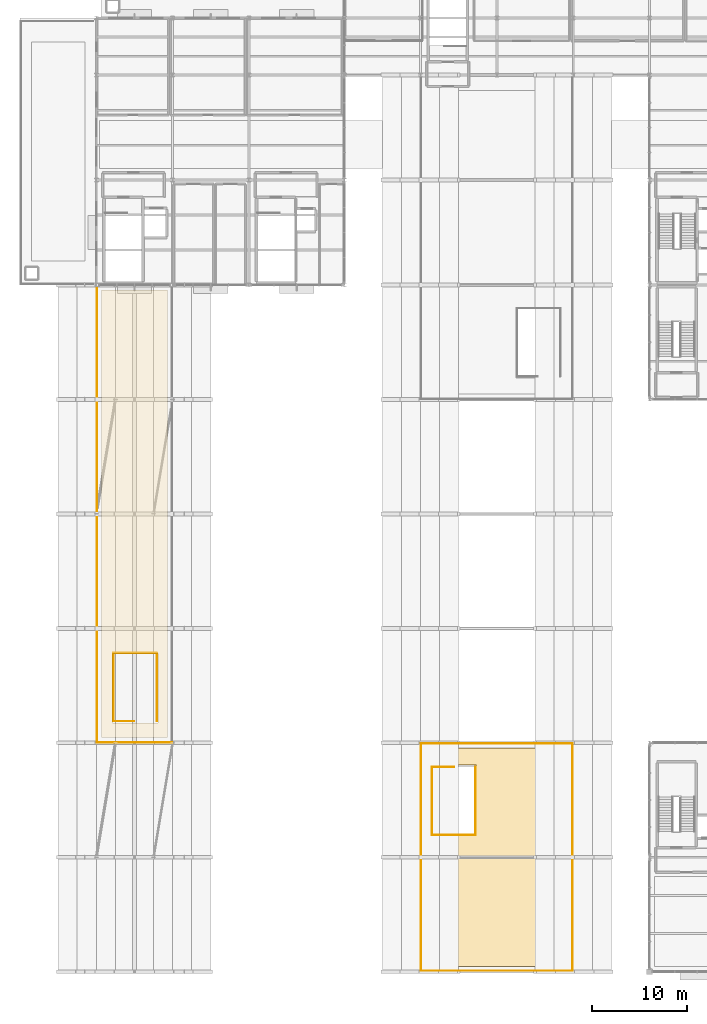
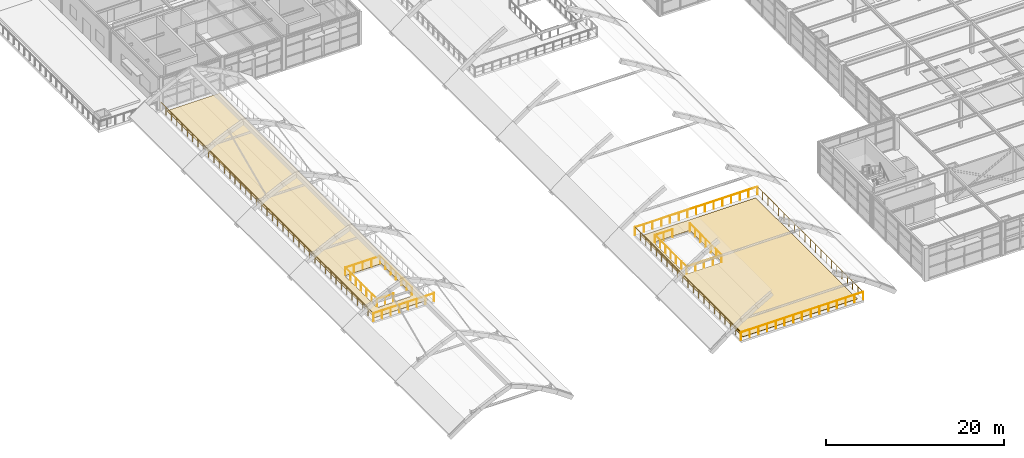
# One storey, part 71 of 82: 14 railings, 2 coverings.
"""IFC4 building model written with IfcOpenShell, lengths in metres."""

from ifc_helpers import new_model, si_unit, direction, frame, origin, origin_2d, place, context, subcontext, project, spatial, polyline, circle, outline, extrude, material, layer, layer_set, type_object, element, save


model = new_model("IFC4")

# Units and contexts
model_context = context("Model", 3, precision=1e-05, world=origin(), true_north=direction((0.0, 1.0)))
body_context = subcontext(model_context, "Body", "Model", "MODEL_VIEW")
ifc_project = project(units=[si_unit("LENGTHUNIT", "METRE"), si_unit("AREAUNIT", "SQUARE_METRE"), si_unit("VOLUMEUNIT", "CUBIC_METRE"), si_unit("PLANEANGLEUNIT", "RADIAN"), si_unit("MASSUNIT", "GRAM", prefix="KILO")], contexts=[model_context])

# Site, building, storey
site_placement = place(None, origin())
site = spatial("IfcSite", under=ifc_project, at=site_placement, CompositionType="ELEMENT")
building_placement = place(site_placement, origin())
building = spatial("IfcBuilding", under=site, at=building_placement, Name="Sitalva Quay Ferry Terminal", CompositionType="ELEMENT")
storey_placement = place(building_placement, frame((0.0, 0.0, 5.39990234375)))
storey = spatial("IfcBuildingStorey", under=building, at=storey_placement, Name="L02", CompositionType="ELEMENT", Elevation=5.39990234375)

# Coverings
ifc_material_1 = material(Name="Flamed Non-Slip Granite Paving", Category="masonry")
ifc_layer = layer(ifc_material_1, 0.034912109375)
ifc_layer_set = layer_set([ifc_layer], Name="Flamed Non-Slip Granite Paving")
covering_type = type_object("IfcCoveringType", Name="Finish_Granite_35", PredefinedType="FLOORING", material=ifc_layer_set)
covering_1_placement = place(storey_placement, origin())
element("IfcCovering", 1, at=covering_1_placement, inside=storey, type_object=covering_type, Name="South Waterfront Viewing Gallery flooring", PredefinedType="FLOORING", context=body_context, shape_type="SweptSolid", body=[
    extrude(outline(polyline([(50.550048828125, 6.550048828125), (65.449951171875, 6.550048828125), (65.449951171875, 29.449951171875), (50.550048828125, 29.449951171875), (50.550048828125, 6.550048828125)]), holes=[polyline([(51.10009765625, 20.39990234375), (51.10009765625, 27.64990234375), (55.85009765625, 27.64990234375), (55.85009765625, 20.39990234375), (51.10009765625, 20.39990234375)])]), origin(), (0.0, 0.0, 1.0), 0.03515625),
])
covering_2_placement = place(storey_placement, origin())
element("IfcCovering", 2, at=covering_2_placement, inside=storey, type_object=covering_type, Name="Arrivals Upper Concourse Gallery flooring", PredefinedType="FLOORING", context=body_context, shape_type="SweptSolid", body=[
    extrude(outline(polyline([(16.550048828125, 30.550048828125), (23.449951171875, 30.550048828125), (23.449951171875, 77.449951171875), (16.550048828125, 77.449951171875), (16.550048828125, 30.550048828125)]), holes=[polyline([(17.699951171875, 32.10009765625), (17.699951171875, 39.35009765625), (22.449951171875, 39.35009765625), (22.449951171875, 32.10009765625), (17.699951171875, 32.10009765625)])]), origin(), (0.0, 0.0, 1.0), 0.03515625),
])

# Railings
ifc_material_2 = material(Name="Stainless Steel 316L & Laminated Glass", Category="steel")
railing_type = type_object("IfcRailingType", Name="Railing_Balustrade_1120", PredefinedType="BALUSTRADE", material=ifc_material_2)
railing_1_placement = place(storey_placement, frame((16.050048828125, 77.949951171875, 0.0)))
element("IfcRailing", 3, at=railing_1_placement, inside=storey, type_object=railing_type, Name="L02 V2 arrivals gallery guard 007", PredefinedType="BALUSTRADE", context=body_context, shape_type="SweptSolid", body=[
    extrude(circle(Radius=0.02392578125, at=origin_2d()), frame((0.0, 0.0, 1.09619140625), z_axis=(0.0, -1.0, 0.0), x_axis=(1.0, 0.0, 0.0)), (0.0, 0.0, 1.0), 47.89990234375),
    extrude(circle(Radius=0.02099609375, at=origin_2d()), origin(), (0.0, 0.0, 1.0), 1.072021484375),
    extrude(circle(Radius=0.02099609375, at=origin_2d()), frame((0.0, -1.197509765625, 0.0)), (0.0, 0.0, 1.0), 1.072021484375),
    extrude(circle(Radius=0.02099609375, at=origin_2d()), frame((0.0, -2.39501953125, 0.0)), (0.0, 0.0, 1.0), 1.072021484375),
    extrude(circle(Radius=0.02099609375, at=origin_2d()), frame((0.0, -3.592529296875, 0.0)), (0.0, 0.0, 1.0), 1.072021484375),
    extrude(circle(Radius=0.02099609375, at=origin_2d()), frame((0.0, -4.7900390625, 0.0)), (0.0, 0.0, 1.0), 1.072021484375),
    extrude(circle(Radius=0.02099609375, at=origin_2d()), frame((0.0, -5.987548828125, 0.0)), (0.0, 0.0, 1.0), 1.072021484375),
    extrude(circle(Radius=0.02099609375, at=origin_2d()), frame((0.0, -7.18505859375, 0.0)), (0.0, 0.0, 1.0), 1.072021484375),
    extrude(circle(Radius=0.02099609375, at=origin_2d()), frame((0.0, -8.382568359375, 0.0)), (0.0, 0.0, 1.0), 1.072021484375),
    extrude(circle(Radius=0.02099609375, at=origin_2d()), frame((0.0, -9.580078125, 0.0)), (0.0, 0.0, 1.0), 1.072021484375),
    extrude(circle(Radius=0.02099609375, at=origin_2d()), frame((0.0, -10.777587890625, 0.0)), (0.0, 0.0, 1.0), 1.072021484375),
    extrude(circle(Radius=0.02099609375, at=origin_2d()), frame((0.0, -11.97509765625, 0.0)), (0.0, 0.0, 1.0), 1.072021484375),
    extrude(circle(Radius=0.02099609375, at=origin_2d()), frame((0.0, -13.17236328125, 0.0)), (0.0, 0.0, 1.0), 1.072021484375),
    extrude(circle(Radius=0.02099609375, at=origin_2d()), frame((0.0, -14.369873046875, 0.0)), (0.0, 0.0, 1.0), 1.072021484375),
    extrude(circle(Radius=0.02099609375, at=origin_2d()), frame((0.0, -15.5673828125, 0.0)), (0.0, 0.0, 1.0), 1.072021484375),
    extrude(circle(Radius=0.02099609375, at=origin_2d()), frame((0.0, -16.764892578125, 0.0)), (0.0, 0.0, 1.0), 1.072021484375),
    extrude(circle(Radius=0.02099609375, at=origin_2d()), frame((0.0, -17.96240234375, 0.0)), (0.0, 0.0, 1.0), 1.072021484375),
    extrude(circle(Radius=0.02099609375, at=origin_2d()), frame((0.0, -19.159912109375, 0.0)), (0.0, 0.0, 1.0), 1.072021484375),
    extrude(circle(Radius=0.02099609375, at=origin_2d()), frame((0.0, -20.357421875, 0.0)), (0.0, 0.0, 1.0), 1.072021484375),
    extrude(circle(Radius=0.02099609375, at=origin_2d()), frame((0.0, -21.554931640625, 0.0)), (0.0, 0.0, 1.0), 1.072021484375),
    extrude(circle(Radius=0.02099609375, at=origin_2d()), frame((0.0, -22.75244140625, 0.0)), (0.0, 0.0, 1.0), 1.072021484375),
    extrude(circle(Radius=0.02099609375, at=origin_2d()), frame((0.0, -23.949951171875, 0.0)), (0.0, 0.0, 1.0), 1.072021484375),
    extrude(circle(Radius=0.02099609375, at=origin_2d()), frame((0.0, -25.1474609375, 0.0)), (0.0, 0.0, 1.0), 1.072021484375),
    extrude(circle(Radius=0.02099609375, at=origin_2d()), frame((0.0, -26.344970703125, 0.0)), (0.0, 0.0, 1.0), 1.072021484375),
    extrude(circle(Radius=0.02099609375, at=origin_2d()), frame((0.0, -27.54248046875, 0.0)), (0.0, 0.0, 1.0), 1.072021484375),
    extrude(circle(Radius=0.02099609375, at=origin_2d()), frame((0.0, -28.739990234375, 0.0)), (0.0, 0.0, 1.0), 1.072021484375),
    extrude(circle(Radius=0.02099609375, at=origin_2d()), frame((0.0, -29.9375, 0.0)), (0.0, 0.0, 1.0), 1.072021484375),
    extrude(circle(Radius=0.02099609375, at=origin_2d()), frame((0.0, -31.135009765625, 0.0)), (0.0, 0.0, 1.0), 1.072021484375),
    extrude(circle(Radius=0.02099609375, at=origin_2d()), frame((0.0, -32.33251953125, 0.0)), (0.0, 0.0, 1.0), 1.072021484375),
    extrude(circle(Radius=0.02099609375, at=origin_2d()), frame((0.0, -33.530029296875, 0.0)), (0.0, 0.0, 1.0), 1.072021484375),
    extrude(circle(Radius=0.02099609375, at=origin_2d()), frame((0.0, -34.7275390625, 0.0)), (0.0, 0.0, 1.0), 1.072021484375),
    extrude(circle(Radius=0.02099609375, at=origin_2d()), frame((0.0, -35.9248046875, 0.0)), (0.0, 0.0, 1.0), 1.072021484375),
    extrude(circle(Radius=0.02099609375, at=origin_2d()), frame((0.0, -37.122314453125, 0.0)), (0.0, 0.0, 1.0), 1.072021484375),
    extrude(circle(Radius=0.02099609375, at=origin_2d()), frame((0.0, -38.31982421875, 0.0)), (0.0, 0.0, 1.0), 1.072021484375),
    extrude(circle(Radius=0.02099609375, at=origin_2d()), frame((0.0, -39.517333984375, 0.0)), (0.0, 0.0, 1.0), 1.072021484375),
    extrude(circle(Radius=0.02099609375, at=origin_2d()), frame((0.0, -40.71484375, 0.0)), (0.0, 0.0, 1.0), 1.072021484375),
    extrude(circle(Radius=0.02099609375, at=origin_2d()), frame((0.0, -41.912353515625, 0.0)), (0.0, 0.0, 1.0), 1.072021484375),
    extrude(circle(Radius=0.02099609375, at=origin_2d()), frame((0.0, -43.10986328125, 0.0)), (0.0, 0.0, 1.0), 1.072021484375),
    extrude(circle(Radius=0.02099609375, at=origin_2d()), frame((0.0, -44.307373046875, 0.0)), (0.0, 0.0, 1.0), 1.072021484375),
    extrude(circle(Radius=0.02099609375, at=origin_2d()), frame((0.0, -45.5048828125, 0.0)), (0.0, 0.0, 1.0), 1.072021484375),
    extrude(circle(Radius=0.02099609375, at=origin_2d()), frame((0.0, -46.702392578125, 0.0)), (0.0, 0.0, 1.0), 1.072021484375),
    extrude(circle(Radius=0.02099609375, at=origin_2d()), frame((0.0, -47.89990234375, 0.0)), (0.0, 0.0, 1.0), 1.072021484375),
])
railing_2_placement = place(storey_placement, frame((16.050048828125, 30.050048828125, 0.0)))
element("IfcRailing", 4, at=railing_2_placement, inside=storey, type_object=railing_type, Name="L02 V2 arrivals gallery guard 008", PredefinedType="BALUSTRADE", context=body_context, shape_type="SweptSolid", body=[
    extrude(circle(Radius=0.02392578125, at=origin_2d()), frame((0.0, 0.0, 1.09619140625), z_axis=(1.0, 0.0, 0.0), x_axis=(0.0, 1.0, 0.0)), (0.0, 0.0, 1.0), 7.89990234375),
    extrude(circle(Radius=0.02099609375, at=origin_2d()), origin(), (0.0, 0.0, 1.0), 1.072021484375),
    extrude(circle(Radius=0.02099609375, at=origin_2d()), frame((1.128662109375, 0.0, 0.0)), (0.0, 0.0, 1.0), 1.072021484375),
    extrude(circle(Radius=0.02099609375, at=origin_2d()), frame((2.257080078125, 0.0, 0.0)), (0.0, 0.0, 1.0), 1.072021484375),
    extrude(circle(Radius=0.02099609375, at=origin_2d()), frame((3.3857421875, 0.0, 0.0)), (0.0, 0.0, 1.0), 1.072021484375),
    extrude(circle(Radius=0.02099609375, at=origin_2d()), frame((4.51416015625, 0.0, 0.0)), (0.0, 0.0, 1.0), 1.072021484375),
    extrude(circle(Radius=0.02099609375, at=origin_2d()), frame((5.642822265625, 0.0, 0.0)), (0.0, 0.0, 1.0), 1.072021484375),
    extrude(circle(Radius=0.02099609375, at=origin_2d()), frame((6.771240234375, 0.0, 0.0)), (0.0, 0.0, 1.0), 1.072021484375),
    extrude(circle(Radius=0.02099609375, at=origin_2d()), frame((7.89990234375, 0.0, 0.0)), (0.0, 0.0, 1.0), 1.072021484375),
])
railing_3_placement = place(storey_placement, frame((19.949951171875, 32.260009765625, 0.0)))
element("IfcRailing", 5, at=railing_3_placement, inside=storey, type_object=railing_type, Name="L02 ST-14 stair-well guard 010", PredefinedType="BALUSTRADE", context=body_context, shape_type="SweptSolid", body=[
    extrude(circle(Radius=0.02392578125, at=origin_2d()), frame((0.0, 0.0, 1.09619140625), z_axis=(-1.0, 0.0, 0.0), x_axis=(0.0, -1.0, 0.0)), (0.0, 0.0, 1.0), 2.14990234375),
    extrude(circle(Radius=0.02099609375, at=origin_2d()), origin(), (0.0, 0.0, 1.0), 1.072021484375),
    extrude(circle(Radius=0.02099609375, at=origin_2d()), frame((-1.074951171875, 0.0, 0.0)), (0.0, 0.0, 1.0), 1.072021484375),
    extrude(circle(Radius=0.02099609375, at=origin_2d()), frame((-2.14990234375, 0.0, 0.0)), (0.0, 0.0, 1.0), 1.072021484375),
])
railing_4_placement = place(storey_placement, frame((17.800048828125, 32.260009765625, 0.0)))
element("IfcRailing", 6, at=railing_4_placement, inside=storey, type_object=railing_type, Name="L02 ST-14 stair-well guard 011", PredefinedType="BALUSTRADE", context=body_context, shape_type="SweptSolid", body=[
    extrude(circle(Radius=0.02392578125, at=origin_2d()), frame((0.0, 0.0, 1.09619140625), z_axis=(0.0, 1.0, 0.0), x_axis=(-1.0, 0.0, 0.0)), (0.0, 0.0, 1.0), 7.139892578125),
    extrude(circle(Radius=0.02099609375, at=origin_2d()), origin(), (0.0, 0.0, 1.0), 1.072021484375),
    extrude(circle(Radius=0.02099609375, at=origin_2d()), frame((0.0, 1.18994140625, 0.0)), (0.0, 0.0, 1.0), 1.072021484375),
    extrude(circle(Radius=0.02099609375, at=origin_2d()), frame((0.0, 2.3798828125, 0.0)), (0.0, 0.0, 1.0), 1.072021484375),
    extrude(circle(Radius=0.02099609375, at=origin_2d()), frame((0.0, 3.56982421875, 0.0)), (0.0, 0.0, 1.0), 1.072021484375),
    extrude(circle(Radius=0.02099609375, at=origin_2d()), frame((0.0, 4.760009765625, 0.0)), (0.0, 0.0, 1.0), 1.072021484375),
    extrude(circle(Radius=0.02099609375, at=origin_2d()), frame((0.0, 5.949951171875, 0.0)), (0.0, 0.0, 1.0), 1.072021484375),
    extrude(circle(Radius=0.02099609375, at=origin_2d()), frame((0.0, 7.139892578125, 0.0)), (0.0, 0.0, 1.0), 1.072021484375),
])
railing_5_placement = place(storey_placement, frame((17.800048828125, 39.39990234375, 0.0)))
element("IfcRailing", 7, at=railing_5_placement, inside=storey, type_object=railing_type, Name="L02 ST-14 stair-well guard 012", PredefinedType="BALUSTRADE", context=body_context, shape_type="SweptSolid", body=[
    extrude(circle(Radius=0.02392578125, at=origin_2d()), frame((0.0, 0.0, 1.09619140625), z_axis=(1.0, 0.0, 0.0), x_axis=(0.0, 1.0, 0.0)), (0.0, 0.0, 1.0), 4.550048828125),
    extrude(circle(Radius=0.02099609375, at=origin_2d()), origin(), (0.0, 0.0, 1.0), 1.072021484375),
    extrude(circle(Radius=0.02099609375, at=origin_2d()), frame((1.137451171875, 0.0, 0.0)), (0.0, 0.0, 1.0), 1.072021484375),
    extrude(circle(Radius=0.02099609375, at=origin_2d()), frame((2.27490234375, 0.0, 0.0)), (0.0, 0.0, 1.0), 1.072021484375),
    extrude(circle(Radius=0.02099609375, at=origin_2d()), frame((3.41259765625, 0.0, 0.0)), (0.0, 0.0, 1.0), 1.072021484375),
    extrude(circle(Radius=0.02099609375, at=origin_2d()), frame((4.550048828125, 0.0, 0.0)), (0.0, 0.0, 1.0), 1.072021484375),
])
railing_6_placement = place(storey_placement, frame((22.35009765625, 39.39990234375, 0.0)))
element("IfcRailing", 8, at=railing_6_placement, inside=storey, type_object=railing_type, Name="L02 ST-14 stair-well guard 013", PredefinedType="BALUSTRADE", context=body_context, shape_type="SweptSolid", body=[
    extrude(circle(Radius=0.02392578125, at=origin_2d()), frame((0.0, 0.0, 1.09619140625), z_axis=(0.0, -1.0, 0.0), x_axis=(1.0, 0.0, 0.0)), (0.0, 0.0, 1.0), 7.139892578125),
    extrude(circle(Radius=0.02099609375, at=origin_2d()), origin(), (0.0, 0.0, 1.0), 1.072021484375),
    extrude(circle(Radius=0.02099609375, at=origin_2d()), frame((0.0, -1.18994140625, 0.0)), (0.0, 0.0, 1.0), 1.072021484375),
    extrude(circle(Radius=0.02099609375, at=origin_2d()), frame((0.0, -2.3798828125, 0.0)), (0.0, 0.0, 1.0), 1.072021484375),
    extrude(circle(Radius=0.02099609375, at=origin_2d()), frame((0.0, -3.56982421875, 0.0)), (0.0, 0.0, 1.0), 1.072021484375),
    extrude(circle(Radius=0.02099609375, at=origin_2d()), frame((0.0, -4.760009765625, 0.0)), (0.0, 0.0, 1.0), 1.072021484375),
    extrude(circle(Radius=0.02099609375, at=origin_2d()), frame((0.0, -5.949951171875, 0.0)), (0.0, 0.0, 1.0), 1.072021484375),
    extrude(circle(Radius=0.02099609375, at=origin_2d()), frame((0.0, -7.139892578125, 0.0)), (0.0, 0.0, 1.0), 1.072021484375),
])
railing_7_placement = place(storey_placement, frame((50.050048828125, 6.10009765625, 0.0)))
element("IfcRailing", 9, at=railing_7_placement, inside=storey, type_object=railing_type, Name="L02 V1 south gallery guard 014", PredefinedType="BALUSTRADE", context=body_context, shape_type="SweptSolid", body=[
    extrude(circle(Radius=0.02392578125, at=origin_2d()), frame((0.0, 0.0, 1.09619140625), z_axis=(0.0, 1.0, 0.0), x_axis=(-1.0, 0.0, 0.0)), (0.0, 0.0, 1.0), 23.849853515625),
    extrude(circle(Radius=0.02099609375, at=origin_2d()), origin(), (0.0, 0.0, 1.0), 1.072021484375),
    extrude(circle(Radius=0.02099609375, at=origin_2d()), frame((0.0, 1.1923828125, 0.0)), (0.0, 0.0, 1.0), 1.072021484375),
    extrude(circle(Radius=0.02099609375, at=origin_2d()), frame((0.0, 2.385009765625, 0.0)), (0.0, 0.0, 1.0), 1.072021484375),
    extrude(circle(Radius=0.02099609375, at=origin_2d()), frame((0.0, 3.577392578125, 0.0)), (0.0, 0.0, 1.0), 1.072021484375),
    extrude(circle(Radius=0.02099609375, at=origin_2d()), frame((0.0, 4.77001953125, 0.0)), (0.0, 0.0, 1.0), 1.072021484375),
    extrude(circle(Radius=0.02099609375, at=origin_2d()), frame((0.0, 5.96240234375, 0.0)), (0.0, 0.0, 1.0), 1.072021484375),
    extrude(circle(Radius=0.02099609375, at=origin_2d()), frame((0.0, 7.155029296875, 0.0)), (0.0, 0.0, 1.0), 1.072021484375),
    extrude(circle(Radius=0.02099609375, at=origin_2d()), frame((0.0, 8.347412109375, 0.0)), (0.0, 0.0, 1.0), 1.072021484375),
    extrude(circle(Radius=0.02099609375, at=origin_2d()), frame((0.0, 9.5400390625, 0.0)), (0.0, 0.0, 1.0), 1.072021484375),
    extrude(circle(Radius=0.02099609375, at=origin_2d()), frame((0.0, 10.732421875, 0.0)), (0.0, 0.0, 1.0), 1.072021484375),
    extrude(circle(Radius=0.02099609375, at=origin_2d()), frame((0.0, 11.9248046875, 0.0)), (0.0, 0.0, 1.0), 1.072021484375),
    extrude(circle(Radius=0.02099609375, at=origin_2d()), frame((0.0, 13.117431640625, 0.0)), (0.0, 0.0, 1.0), 1.072021484375),
    extrude(circle(Radius=0.02099609375, at=origin_2d()), frame((0.0, 14.309814453125, 0.0)), (0.0, 0.0, 1.0), 1.072021484375),
    extrude(circle(Radius=0.02099609375, at=origin_2d()), frame((0.0, 15.50244140625, 0.0)), (0.0, 0.0, 1.0), 1.072021484375),
    extrude(circle(Radius=0.02099609375, at=origin_2d()), frame((0.0, 16.69482421875, 0.0)), (0.0, 0.0, 1.0), 1.072021484375),
    extrude(circle(Radius=0.02099609375, at=origin_2d()), frame((0.0, 17.887451171875, 0.0)), (0.0, 0.0, 1.0), 1.072021484375),
    extrude(circle(Radius=0.02099609375, at=origin_2d()), frame((0.0, 19.079833984375, 0.0)), (0.0, 0.0, 1.0), 1.072021484375),
    extrude(circle(Radius=0.02099609375, at=origin_2d()), frame((0.0, 20.2724609375, 0.0)), (0.0, 0.0, 1.0), 1.072021484375),
    extrude(circle(Radius=0.02099609375, at=origin_2d()), frame((0.0, 21.46484375, 0.0)), (0.0, 0.0, 1.0), 1.072021484375),
    extrude(circle(Radius=0.02099609375, at=origin_2d()), frame((0.0, 22.657470703125, 0.0)), (0.0, 0.0, 1.0), 1.072021484375),
    extrude(circle(Radius=0.02099609375, at=origin_2d()), frame((0.0, 23.849853515625, 0.0)), (0.0, 0.0, 1.0), 1.072021484375),
])
railing_8_placement = place(storey_placement, frame((50.050048828125, 29.949951171875, 0.0)))
element("IfcRailing", 10, at=railing_8_placement, inside=storey, type_object=railing_type, Name="L02 V1 south gallery guard 015", PredefinedType="BALUSTRADE", context=body_context, shape_type="SweptSolid", body=[
    extrude(circle(Radius=0.02392578125, at=origin_2d()), frame((0.0, 0.0, 1.09619140625), z_axis=(1.0, 0.0, 0.0), x_axis=(0.0, 1.0, 0.0)), (0.0, 0.0, 1.0), 15.89990234375),
    extrude(circle(Radius=0.02099609375, at=origin_2d()), origin(), (0.0, 0.0, 1.0), 1.072021484375),
    extrude(circle(Radius=0.02099609375, at=origin_2d()), frame((1.1357421875, 0.0, 0.0)), (0.0, 0.0, 1.0), 1.072021484375),
    extrude(circle(Radius=0.02099609375, at=origin_2d()), frame((2.271484375, 0.0, 0.0)), (0.0, 0.0, 1.0), 1.072021484375),
    extrude(circle(Radius=0.02099609375, at=origin_2d()), frame((3.4072265625, 0.0, 0.0)), (0.0, 0.0, 1.0), 1.072021484375),
    extrude(circle(Radius=0.02099609375, at=origin_2d()), frame((4.542724609375, 0.0, 0.0)), (0.0, 0.0, 1.0), 1.072021484375),
    extrude(circle(Radius=0.02099609375, at=origin_2d()), frame((5.678466796875, 0.0, 0.0)), (0.0, 0.0, 1.0), 1.072021484375),
    extrude(circle(Radius=0.02099609375, at=origin_2d()), frame((6.814208984375, 0.0, 0.0)), (0.0, 0.0, 1.0), 1.072021484375),
    extrude(circle(Radius=0.02099609375, at=origin_2d()), frame((7.949951171875, 0.0, 0.0)), (0.0, 0.0, 1.0), 1.072021484375),
    extrude(circle(Radius=0.02099609375, at=origin_2d()), frame((9.085693359375, 0.0, 0.0)), (0.0, 0.0, 1.0), 1.072021484375),
    extrude(circle(Radius=0.02099609375, at=origin_2d()), frame((10.221435546875, 0.0, 0.0)), (0.0, 0.0, 1.0), 1.072021484375),
    extrude(circle(Radius=0.02099609375, at=origin_2d()), frame((11.357177734375, 0.0, 0.0)), (0.0, 0.0, 1.0), 1.072021484375),
    extrude(circle(Radius=0.02099609375, at=origin_2d()), frame((12.49267578125, 0.0, 0.0)), (0.0, 0.0, 1.0), 1.072021484375),
    extrude(circle(Radius=0.02099609375, at=origin_2d()), frame((13.62841796875, 0.0, 0.0)), (0.0, 0.0, 1.0), 1.072021484375),
    extrude(circle(Radius=0.02099609375, at=origin_2d()), frame((14.76416015625, 0.0, 0.0)), (0.0, 0.0, 1.0), 1.072021484375),
    extrude(circle(Radius=0.02099609375, at=origin_2d()), frame((15.89990234375, 0.0, 0.0)), (0.0, 0.0, 1.0), 1.072021484375),
])
railing_9_placement = place(storey_placement, frame((65.949951171875, 29.949951171875, 0.0)))
element("IfcRailing", 11, at=railing_9_placement, inside=storey, type_object=railing_type, Name="L02 V1 south gallery guard 016", PredefinedType="BALUSTRADE", context=body_context, shape_type="SweptSolid", body=[
    extrude(circle(Radius=0.02392578125, at=origin_2d()), frame((0.0, 0.0, 1.09619140625), z_axis=(0.0, -1.0, 0.0), x_axis=(1.0, 0.0, 0.0)), (0.0, 0.0, 1.0), 23.849853515625),
    extrude(circle(Radius=0.02099609375, at=origin_2d()), origin(), (0.0, 0.0, 1.0), 1.072021484375),
    extrude(circle(Radius=0.02099609375, at=origin_2d()), frame((0.0, -1.1923828125, 0.0)), (0.0, 0.0, 1.0), 1.072021484375),
    extrude(circle(Radius=0.02099609375, at=origin_2d()), frame((0.0, -2.385009765625, 0.0)), (0.0, 0.0, 1.0), 1.072021484375),
    extrude(circle(Radius=0.02099609375, at=origin_2d()), frame((0.0, -3.577392578125, 0.0)), (0.0, 0.0, 1.0), 1.072021484375),
    extrude(circle(Radius=0.02099609375, at=origin_2d()), frame((0.0, -4.77001953125, 0.0)), (0.0, 0.0, 1.0), 1.072021484375),
    extrude(circle(Radius=0.02099609375, at=origin_2d()), frame((0.0, -5.96240234375, 0.0)), (0.0, 0.0, 1.0), 1.072021484375),
    extrude(circle(Radius=0.02099609375, at=origin_2d()), frame((0.0, -7.155029296875, 0.0)), (0.0, 0.0, 1.0), 1.072021484375),
    extrude(circle(Radius=0.02099609375, at=origin_2d()), frame((0.0, -8.347412109375, 0.0)), (0.0, 0.0, 1.0), 1.072021484375),
    extrude(circle(Radius=0.02099609375, at=origin_2d()), frame((0.0, -9.5400390625, 0.0)), (0.0, 0.0, 1.0), 1.072021484375),
    extrude(circle(Radius=0.02099609375, at=origin_2d()), frame((0.0, -10.732421875, 0.0)), (0.0, 0.0, 1.0), 1.072021484375),
    extrude(circle(Radius=0.02099609375, at=origin_2d()), frame((0.0, -11.9248046875, 0.0)), (0.0, 0.0, 1.0), 1.072021484375),
    extrude(circle(Radius=0.02099609375, at=origin_2d()), frame((0.0, -13.117431640625, 0.0)), (0.0, 0.0, 1.0), 1.072021484375),
    extrude(circle(Radius=0.02099609375, at=origin_2d()), frame((0.0, -14.309814453125, 0.0)), (0.0, 0.0, 1.0), 1.072021484375),
    extrude(circle(Radius=0.02099609375, at=origin_2d()), frame((0.0, -15.50244140625, 0.0)), (0.0, 0.0, 1.0), 1.072021484375),
    extrude(circle(Radius=0.02099609375, at=origin_2d()), frame((0.0, -16.69482421875, 0.0)), (0.0, 0.0, 1.0), 1.072021484375),
    extrude(circle(Radius=0.02099609375, at=origin_2d()), frame((0.0, -17.887451171875, 0.0)), (0.0, 0.0, 1.0), 1.072021484375),
    extrude(circle(Radius=0.02099609375, at=origin_2d()), frame((0.0, -19.079833984375, 0.0)), (0.0, 0.0, 1.0), 1.072021484375),
    extrude(circle(Radius=0.02099609375, at=origin_2d()), frame((0.0, -20.2724609375, 0.0)), (0.0, 0.0, 1.0), 1.072021484375),
    extrude(circle(Radius=0.02099609375, at=origin_2d()), frame((0.0, -21.46484375, 0.0)), (0.0, 0.0, 1.0), 1.072021484375),
    extrude(circle(Radius=0.02099609375, at=origin_2d()), frame((0.0, -22.657470703125, 0.0)), (0.0, 0.0, 1.0), 1.072021484375),
    extrude(circle(Radius=0.02099609375, at=origin_2d()), frame((0.0, -23.849853515625, 0.0)), (0.0, 0.0, 1.0), 1.072021484375),
])
railing_10_placement = place(storey_placement, frame((65.949951171875, 6.10009765625, 0.0)))
element("IfcRailing", 12, at=railing_10_placement, inside=storey, type_object=railing_type, Name="L02 V1 south gallery guard 017", PredefinedType="BALUSTRADE", context=body_context, shape_type="SweptSolid", body=[
    extrude(circle(Radius=0.02392578125, at=origin_2d()), frame((0.0, 0.0, 1.09619140625), z_axis=(-1.0, 0.0, 0.0), x_axis=(0.0, -1.0, 0.0)), (0.0, 0.0, 1.0), 15.89990234375),
    extrude(circle(Radius=0.02099609375, at=origin_2d()), origin(), (0.0, 0.0, 1.0), 1.072021484375),
    extrude(circle(Radius=0.02099609375, at=origin_2d()), frame((-1.1357421875, 0.0, 0.0)), (0.0, 0.0, 1.0), 1.072021484375),
    extrude(circle(Radius=0.02099609375, at=origin_2d()), frame((-2.271484375, 0.0, 0.0)), (0.0, 0.0, 1.0), 1.072021484375),
    extrude(circle(Radius=0.02099609375, at=origin_2d()), frame((-3.4072265625, 0.0, 0.0)), (0.0, 0.0, 1.0), 1.072021484375),
    extrude(circle(Radius=0.02099609375, at=origin_2d()), frame((-4.542724609375, 0.0, 0.0)), (0.0, 0.0, 1.0), 1.072021484375),
    extrude(circle(Radius=0.02099609375, at=origin_2d()), frame((-5.678466796875, 0.0, 0.0)), (0.0, 0.0, 1.0), 1.072021484375),
    extrude(circle(Radius=0.02099609375, at=origin_2d()), frame((-6.814208984375, 0.0, 0.0)), (0.0, 0.0, 1.0), 1.072021484375),
    extrude(circle(Radius=0.02099609375, at=origin_2d()), frame((-7.949951171875, 0.0, 0.0)), (0.0, 0.0, 1.0), 1.072021484375),
    extrude(circle(Radius=0.02099609375, at=origin_2d()), frame((-9.085693359375, 0.0, 0.0)), (0.0, 0.0, 1.0), 1.072021484375),
    extrude(circle(Radius=0.02099609375, at=origin_2d()), frame((-10.221435546875, 0.0, 0.0)), (0.0, 0.0, 1.0), 1.072021484375),
    extrude(circle(Radius=0.02099609375, at=origin_2d()), frame((-11.357177734375, 0.0, 0.0)), (0.0, 0.0, 1.0), 1.072021484375),
    extrude(circle(Radius=0.02099609375, at=origin_2d()), frame((-12.49267578125, 0.0, 0.0)), (0.0, 0.0, 1.0), 1.072021484375),
    extrude(circle(Radius=0.02099609375, at=origin_2d()), frame((-13.62841796875, 0.0, 0.0)), (0.0, 0.0, 1.0), 1.072021484375),
    extrude(circle(Radius=0.02099609375, at=origin_2d()), frame((-14.76416015625, 0.0, 0.0)), (0.0, 0.0, 1.0), 1.072021484375),
    extrude(circle(Radius=0.02099609375, at=origin_2d()), frame((-15.89990234375, 0.0, 0.0)), (0.0, 0.0, 1.0), 1.072021484375),
])
railing_11_placement = place(storey_placement, frame((53.5, 27.47998046875, 0.0)))
element("IfcRailing", 13, at=railing_11_placement, inside=storey, type_object=railing_type, Name="L02 ST-11 stair-well guard 018", PredefinedType="BALUSTRADE", context=body_context, shape_type="SweptSolid", body=[
    extrude(circle(Radius=0.02392578125, at=origin_2d()), frame((0.0, 0.0, 1.09619140625), z_axis=(-1.0, 0.0, 0.0), x_axis=(0.0, -1.0, 0.0)), (0.0, 0.0, 1.0), 2.300048828125),
    extrude(circle(Radius=0.02099609375, at=origin_2d()), origin(), (0.0, 0.0, 1.0), 1.072021484375),
    extrude(circle(Radius=0.02099609375, at=origin_2d()), frame((-1.14990234375, 0.0, 0.0)), (0.0, 0.0, 1.0), 1.072021484375),
    extrude(circle(Radius=0.02099609375, at=origin_2d()), frame((-2.300048828125, 0.0, 0.0)), (0.0, 0.0, 1.0), 1.072021484375),
])
railing_12_placement = place(storey_placement, frame((51.199951171875, 27.47998046875, 0.0)))
element("IfcRailing", 14, at=railing_12_placement, inside=storey, type_object=railing_type, Name="L02 ST-11 stair-well guard 019", PredefinedType="BALUSTRADE", context=body_context, shape_type="SweptSolid", body=[
    extrude(circle(Radius=0.02392578125, at=origin_2d()), frame((0.0, 0.0, 1.09619140625), z_axis=(0.0, -1.0, 0.0), x_axis=(1.0, 0.0, 0.0)), (0.0, 0.0, 1.0), 7.139892578125),
    extrude(circle(Radius=0.02099609375, at=origin_2d()), origin(), (0.0, 0.0, 1.0), 1.072021484375),
    extrude(circle(Radius=0.02099609375, at=origin_2d()), frame((0.0, -1.18994140625, 0.0)), (0.0, 0.0, 1.0), 1.072021484375),
    extrude(circle(Radius=0.02099609375, at=origin_2d()), frame((0.0, -2.3798828125, 0.0)), (0.0, 0.0, 1.0), 1.072021484375),
    extrude(circle(Radius=0.02099609375, at=origin_2d()), frame((0.0, -3.56982421875, 0.0)), (0.0, 0.0, 1.0), 1.072021484375),
    extrude(circle(Radius=0.02099609375, at=origin_2d()), frame((0.0, -4.760009765625, 0.0)), (0.0, 0.0, 1.0), 1.072021484375),
    extrude(circle(Radius=0.02099609375, at=origin_2d()), frame((0.0, -5.949951171875, 0.0)), (0.0, 0.0, 1.0), 1.072021484375),
    extrude(circle(Radius=0.02099609375, at=origin_2d()), frame((0.0, -7.139892578125, 0.0)), (0.0, 0.0, 1.0), 1.072021484375),
])
railing_13_placement = place(storey_placement, frame((51.199951171875, 20.340087890625, 0.0)))
element("IfcRailing", 15, at=railing_13_placement, inside=storey, type_object=railing_type, Name="L02 ST-11 stair-well guard 020", PredefinedType="BALUSTRADE", context=body_context, shape_type="SweptSolid", body=[
    extrude(circle(Radius=0.02392578125, at=origin_2d()), frame((0.0, 0.0, 1.09619140625), z_axis=(1.0, 0.0, 0.0), x_axis=(0.0, 1.0, 0.0)), (0.0, 0.0, 1.0), 4.550048828125),
    extrude(circle(Radius=0.02099609375, at=origin_2d()), origin(), (0.0, 0.0, 1.0), 1.072021484375),
    extrude(circle(Radius=0.02099609375, at=origin_2d()), frame((1.137451171875, 0.0, 0.0)), (0.0, 0.0, 1.0), 1.072021484375),
    extrude(circle(Radius=0.02099609375, at=origin_2d()), frame((2.27490234375, 0.0, 0.0)), (0.0, 0.0, 1.0), 1.072021484375),
    extrude(circle(Radius=0.02099609375, at=origin_2d()), frame((3.41259765625, 0.0, 0.0)), (0.0, 0.0, 1.0), 1.072021484375),
    extrude(circle(Radius=0.02099609375, at=origin_2d()), frame((4.550048828125, 0.0, 0.0)), (0.0, 0.0, 1.0), 1.072021484375),
])
railing_14_placement = place(storey_placement, frame((55.75, 20.340087890625, 0.0)))
element("IfcRailing", 16, at=railing_14_placement, inside=storey, type_object=railing_type, Name="L02 ST-11 stair-well guard 021", PredefinedType="BALUSTRADE", context=body_context, shape_type="SweptSolid", body=[
    extrude(circle(Radius=0.02392578125, at=origin_2d()), frame((0.0, 0.0, 1.09619140625), z_axis=(0.0, 1.0, 0.0), x_axis=(-1.0, 0.0, 0.0)), (0.0, 0.0, 1.0), 7.139892578125),
    extrude(circle(Radius=0.02099609375, at=origin_2d()), origin(), (0.0, 0.0, 1.0), 1.072021484375),
    extrude(circle(Radius=0.02099609375, at=origin_2d()), frame((0.0, 1.18994140625, 0.0)), (0.0, 0.0, 1.0), 1.072021484375),
    extrude(circle(Radius=0.02099609375, at=origin_2d()), frame((0.0, 2.3798828125, 0.0)), (0.0, 0.0, 1.0), 1.072021484375),
    extrude(circle(Radius=0.02099609375, at=origin_2d()), frame((0.0, 3.56982421875, 0.0)), (0.0, 0.0, 1.0), 1.072021484375),
    extrude(circle(Radius=0.02099609375, at=origin_2d()), frame((0.0, 4.760009765625, 0.0)), (0.0, 0.0, 1.0), 1.072021484375),
    extrude(circle(Radius=0.02099609375, at=origin_2d()), frame((0.0, 5.949951171875, 0.0)), (0.0, 0.0, 1.0), 1.072021484375),
    extrude(circle(Radius=0.02099609375, at=origin_2d()), frame((0.0, 7.139892578125, 0.0)), (0.0, 0.0, 1.0), 1.072021484375),
])

save(model, "model.ifc")
